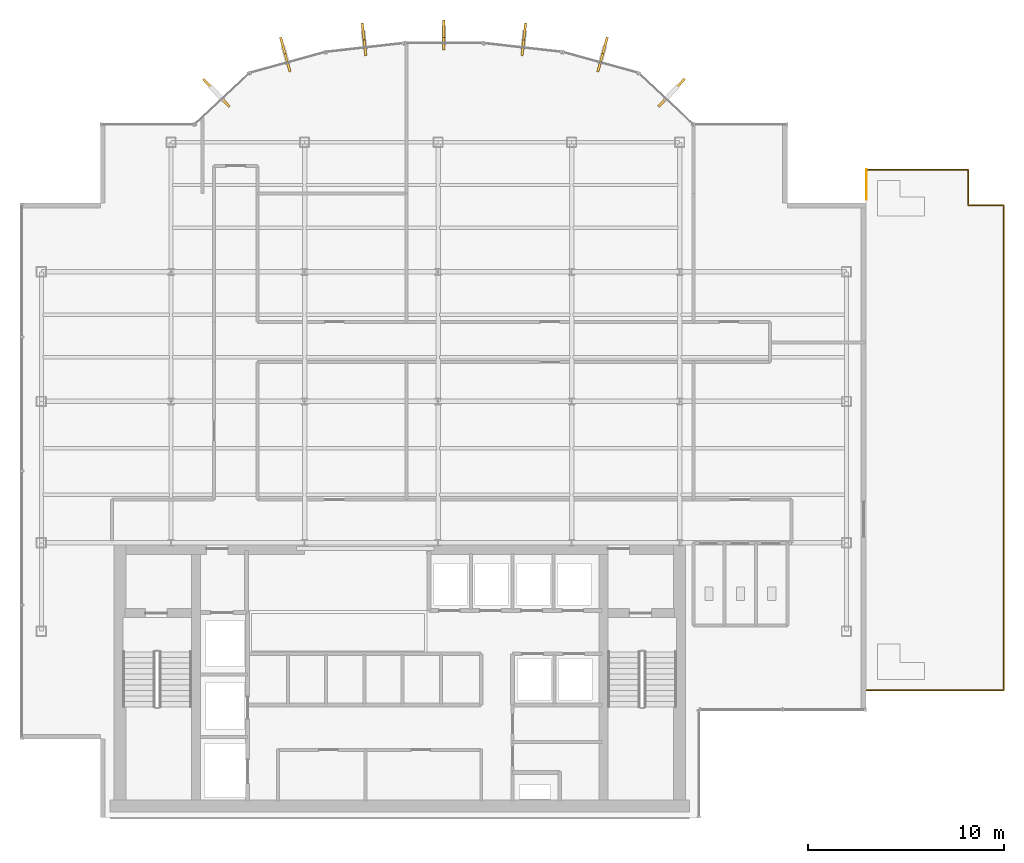
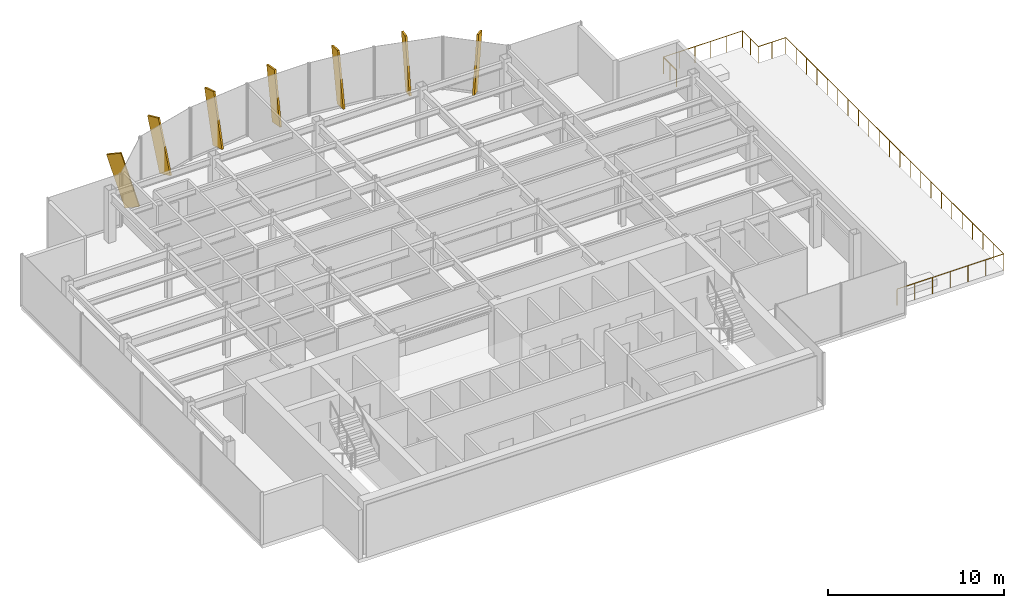
# One storey, part 20 of 21: 7 shading devices, 2 railings.
"""IFC4 building model written with IfcOpenShell, lengths in metres."""

from ifc_helpers import new_model, si_unit, derived_unit, direction, frame, origin, origin_2d, place, context, subcontext, project, spatial, rectangle, circle, extrude, source, transform, mapped, material, type_object, element, save


model = new_model("IFC4")

# Units and contexts
model_context = context("Model", 3, precision=1e-05, world=origin(), true_north=direction((0.0, 1.0)))
body_context = subcontext(model_context, "Body", "Model", "MODEL_VIEW")
ifc_project = project(units=[si_unit("LENGTHUNIT", "METRE"), si_unit("AREAUNIT", "SQUARE_METRE"), si_unit("VOLUMEUNIT", "CUBIC_METRE"), si_unit("PLANEANGLEUNIT", "RADIAN"), si_unit("MASSUNIT", "GRAM", prefix="KILO"), derived_unit("THERMALTRANSMITTANCEUNIT", [(si_unit("POWERUNIT", "WATT"), 1), (si_unit("LENGTHUNIT", "METRE"), -2), (si_unit("THERMODYNAMICTEMPERATUREUNIT", "KELVIN"), -1)])], contexts=[model_context])

# Site, building, storey
site_placement = place(None, origin())
site = spatial("IfcSite", under=ifc_project, at=site_placement, CompositionType="ELEMENT")
building_placement = place(site_placement, origin())
building = spatial("IfcBuilding", under=site, at=building_placement, Name="Skarnbrae Concourse Arena and Tower", CompositionType="ELEMENT")
storey_placement = place(building_placement, frame((0.0, 0.0, 188.60009765625)))
storey = spatial("IfcBuildingStorey", under=building, at=storey_placement, Name="L48", CompositionType="ELEMENT", Elevation=188.60009765625)

# Railings
ifc_material_1 = material(Name="Steel CSA G40.21 350W", Category="steel")
railing_type = type_object("IfcRailingType", Name="RAIL-GUARD-1150", PredefinedType="GUARDRAIL", material=ifc_material_1)
railing_1_placement = place(storey_placement, frame((43.02001953125, 6.5, 0.0)))
element("IfcRailing", 1, at=railing_1_placement, inside=storey, type_object=railing_type, Name="L48 Outdoor setback terrace perimeter guardrail", PredefinedType="GUARDRAIL", context=body_context, shape_type="SweptSolid", body=[
    extrude(circle(Radius=0.02392578125, at=origin_2d()), frame((0.0, 0.0, 1.1259765625), z_axis=(1.0, 0.0, 0.0), x_axis=(0.0, 1.0, 0.0)), (0.0, 0.0, 1.0), 6.97998046875),
    extrude(circle(Radius=0.02392578125, at=origin_2d()), frame((6.97998046875, 0.0, 1.1259765625), z_axis=(0.0, 1.0, 0.0), x_axis=(-1.0, 0.0, 0.0)), (0.0, 0.0, 1.0), 24.699951171875),
    extrude(circle(Radius=0.02392578125, at=origin_2d()), frame((6.97998046875, 24.699951171875, 1.1259765625), z_axis=(-1.0, 0.0, 0.0), x_axis=(0.0, -1.0, 0.0)), (0.0, 0.0, 1.0), 1.800048828125),
    extrude(circle(Radius=0.02392578125, at=origin_2d()), frame((5.179931640625, 24.699951171875, 1.1259765625), z_axis=(0.0, 1.0, 0.0), x_axis=(-1.0, 0.0, 0.0)), (0.0, 0.0, 1.0), 1.800048828125),
    extrude(circle(Radius=0.02392578125, at=origin_2d()), frame((5.179931640625, 26.5, 1.1259765625), z_axis=(-1.0, 0.0, 0.0), x_axis=(0.0, -1.0, 0.0)), (0.0, 0.0, 1.0), 5.179931640625),
    extrude(circle(Radius=0.02099609375, at=origin_2d()), origin(), (0.0, 0.0, 1.0), 1.101806640625),
    extrude(circle(Radius=0.02099609375, at=origin_2d()), frame((1.163330078125, 0.0, 0.0)), (0.0, 0.0, 1.0), 1.101806640625),
    extrude(circle(Radius=0.02099609375, at=origin_2d()), frame((2.32666015625, 0.0, 0.0)), (0.0, 0.0, 1.0), 1.101806640625),
    extrude(circle(Radius=0.02099609375, at=origin_2d()), frame((3.489990234375, 0.0, 0.0)), (0.0, 0.0, 1.0), 1.101806640625),
    extrude(circle(Radius=0.02099609375, at=origin_2d()), frame((4.6533203125, 0.0, 0.0)), (0.0, 0.0, 1.0), 1.101806640625),
    extrude(circle(Radius=0.02099609375, at=origin_2d()), frame((5.816650390625, 0.0, 0.0)), (0.0, 0.0, 1.0), 1.101806640625),
    extrude(circle(Radius=0.02099609375, at=origin_2d()), frame((6.97998046875, 0.0, 0.0)), (0.0, 0.0, 1.0), 1.101806640625),
    extrude(circle(Radius=0.02099609375, at=origin_2d()), frame((6.97998046875, 1.17626953125, 0.0)), (0.0, 0.0, 1.0), 1.101806640625),
    extrude(circle(Radius=0.02099609375, at=origin_2d()), frame((6.97998046875, 2.352294921875, 0.0)), (0.0, 0.0, 1.0), 1.101806640625),
    extrude(circle(Radius=0.02099609375, at=origin_2d()), frame((6.97998046875, 3.528564453125, 0.0)), (0.0, 0.0, 1.0), 1.101806640625),
    extrude(circle(Radius=0.02099609375, at=origin_2d()), frame((6.97998046875, 4.704833984375, 0.0)), (0.0, 0.0, 1.0), 1.101806640625),
    extrude(circle(Radius=0.02099609375, at=origin_2d()), frame((6.97998046875, 5.880859375, 0.0)), (0.0, 0.0, 1.0), 1.101806640625),
    extrude(circle(Radius=0.02099609375, at=origin_2d()), frame((6.97998046875, 7.05712890625, 0.0)), (0.0, 0.0, 1.0), 1.101806640625),
    extrude(circle(Radius=0.02099609375, at=origin_2d()), frame((6.97998046875, 8.2333984375, 0.0)), (0.0, 0.0, 1.0), 1.101806640625),
    extrude(circle(Radius=0.02099609375, at=origin_2d()), frame((6.97998046875, 9.409423828125, 0.0)), (0.0, 0.0, 1.0), 1.101806640625),
    extrude(circle(Radius=0.02099609375, at=origin_2d()), frame((6.97998046875, 10.585693359375, 0.0)), (0.0, 0.0, 1.0), 1.101806640625),
    extrude(circle(Radius=0.02099609375, at=origin_2d()), frame((6.97998046875, 11.761962890625, 0.0)), (0.0, 0.0, 1.0), 1.101806640625),
    extrude(circle(Radius=0.02099609375, at=origin_2d()), frame((6.97998046875, 12.93798828125, 0.0)), (0.0, 0.0, 1.0), 1.101806640625),
    extrude(circle(Radius=0.02099609375, at=origin_2d()), frame((6.97998046875, 14.1142578125, 0.0)), (0.0, 0.0, 1.0), 1.101806640625),
    extrude(circle(Radius=0.02099609375, at=origin_2d()), frame((6.97998046875, 15.29052734375, 0.0)), (0.0, 0.0, 1.0), 1.101806640625),
    extrude(circle(Radius=0.02099609375, at=origin_2d()), frame((6.97998046875, 16.466552734375, 0.0)), (0.0, 0.0, 1.0), 1.101806640625),
    extrude(circle(Radius=0.02099609375, at=origin_2d()), frame((6.97998046875, 17.642822265625, 0.0)), (0.0, 0.0, 1.0), 1.101806640625),
    extrude(circle(Radius=0.02099609375, at=origin_2d()), frame((6.97998046875, 18.819091796875, 0.0)), (0.0, 0.0, 1.0), 1.101806640625),
    extrude(circle(Radius=0.02099609375, at=origin_2d()), frame((6.97998046875, 19.9951171875, 0.0)), (0.0, 0.0, 1.0), 1.101806640625),
    extrude(circle(Radius=0.02099609375, at=origin_2d()), frame((6.97998046875, 21.17138671875, 0.0)), (0.0, 0.0, 1.0), 1.101806640625),
    extrude(circle(Radius=0.02099609375, at=origin_2d()), frame((6.97998046875, 22.34765625, 0.0)), (0.0, 0.0, 1.0), 1.101806640625),
    extrude(circle(Radius=0.02099609375, at=origin_2d()), frame((6.97998046875, 23.523681640625, 0.0)), (0.0, 0.0, 1.0), 1.101806640625),
    extrude(circle(Radius=0.02099609375, at=origin_2d()), frame((6.97998046875, 24.699951171875, 0.0)), (0.0, 0.0, 1.0), 1.101806640625),
    extrude(circle(Radius=0.02099609375, at=origin_2d()), frame((6.080078125, 24.699951171875, 0.0)), (0.0, 0.0, 1.0), 1.101806640625),
    extrude(circle(Radius=0.02099609375, at=origin_2d()), frame((5.179931640625, 24.699951171875, 0.0)), (0.0, 0.0, 1.0), 1.101806640625),
    extrude(circle(Radius=0.02099609375, at=origin_2d()), frame((5.179931640625, 25.60009765625, 0.0)), (0.0, 0.0, 1.0), 1.101806640625),
    extrude(circle(Radius=0.02099609375, at=origin_2d()), frame((5.179931640625, 26.5, 0.0)), (0.0, 0.0, 1.0), 1.101806640625),
    extrude(circle(Radius=0.02099609375, at=origin_2d()), frame((4.14404296875, 26.5, 0.0)), (0.0, 0.0, 1.0), 1.101806640625),
    extrude(circle(Radius=0.02099609375, at=origin_2d()), frame((3.10791015625, 26.5, 0.0)), (0.0, 0.0, 1.0), 1.101806640625),
    extrude(circle(Radius=0.02099609375, at=origin_2d()), frame((2.072021484375, 26.5, 0.0)), (0.0, 0.0, 1.0), 1.101806640625),
    extrude(circle(Radius=0.02099609375, at=origin_2d()), frame((1.035888671875, 26.5, 0.0)), (0.0, 0.0, 1.0), 1.101806640625),
    extrude(circle(Radius=0.02099609375, at=origin_2d()), frame((0.0, 26.5, 0.0)), (0.0, 0.0, 1.0), 1.101806640625),
])
railing_2_placement = place(storey_placement, frame((43.02001953125, 31.4990234375, 0.0)))
element("IfcRailing", 2, at=railing_2_placement, inside=storey, type_object=railing_type, Name="L48 Outdoor setback terrace corner-notch guardrail 1", PredefinedType="GUARDRAIL", context=body_context, shape_type="SweptSolid", body=[
    extrude(circle(Radius=0.02392578125, at=origin_2d()), frame((0.0, 0.0, 1.1259765625), z_axis=(0.0, 1.0, 0.0), x_axis=(-1.0, 0.0, 0.0)), (0.0, 0.0, 1.0), 1.5009765625),
    extrude(circle(Radius=0.02099609375, at=origin_2d()), origin(), (0.0, 0.0, 1.0), 1.101806640625),
    extrude(circle(Radius=0.02099609375, at=origin_2d()), frame((0.0, 0.75048828125, 0.0)), (0.0, 0.0, 1.0), 1.101806640625),
    extrude(circle(Radius=0.02099609375, at=origin_2d()), frame((0.0, 1.5009765625, 0.0)), (0.0, 0.0, 1.0), 1.101806640625),
])

# Shading devices
ifc_material_2 = material(Name="Bronze anodised aluminium 6063-T6", Category="aluminium")
shading_device_type = type_object("IfcShadingDeviceType", Name="SHD-BRONZE-FIN-900", PredefinedType="USERDEFINED", material=ifc_material_2)
shared_shape = source(origin(), body_context, "Body", "SweptSolid", [
    extrude(rectangle(XDim=0.1201171875, YDim=0.89990234375, at=origin_2d()), origin(), (0.0, 0.0, 1.0), 3.64990234375),
])
for number, where, z_axis, x_axis, name in (
    (3, (32.719482421875, 36.522705078125, 0.0830078125), (0.204517004551, 0.217255972062, 0.954448865814), (0.728131751529, -0.685437198009, 0.0), "L48 Outward-leaning bronze shading fin 08"),
    (4, (29.452392578125, 38.40576171875, 0.063720703125), (0.069616483156, 0.252603280643, 0.965062240418), (0.964058316208, -0.265690728011, 0.0), "L48 Outward-leaning bronze shading fin 09"),
    (5, (25.52392578125, 39.2431640625, 0.044189453125), (0.024350376121, 0.217122703093, 0.975840556128), (0.993769864509, -0.111451587667, 0.0), "L48 Outward-leaning bronze shading fin 10"),
    (6, (21.5, 39.5498046875, 0.02783203125), (0.0, 0.173648177667, 0.984807753012), (1.0, 0.0, 0.0), "L48 Outward-leaning bronze shading fin 11"),
    (7, (17.47607421875, 39.2431640625, 0.044189453125), (-0.024350376121, 0.217122703093, 0.975840556128), (0.993769864509, 0.111451587667, 0.0), "L48 Outward-leaning bronze shading fin 12"),
    (8, (13.547607421875, 38.40576171875, 0.063720703125), (-0.069616483156, 0.252603280643, 0.965062240418), (0.964058316208, 0.265690728011, 0.0), "L48 Outward-leaning bronze shading fin 13"),
    (9, (10.280517578125, 36.522705078125, 0.0830078125), (-0.204517004551, 0.217255972062, 0.954448865814), (0.728131751529, 0.685437198009, 0.0), "L48 Outward-leaning bronze shading fin 14"),
):
    element("IfcShadingDevice", number, at=place(storey_placement, frame(where, z_axis=z_axis, x_axis=x_axis)), inside=storey, type_object=shading_device_type, Name=name, ObjectType="FIN", PredefinedType="USERDEFINED", context=body_context, shape_type="MappedRepresentation", body=[
        mapped(shared_shape, transform((0.0, 0.0, 0.0))),
    ])

save(model, "model.ifc")
